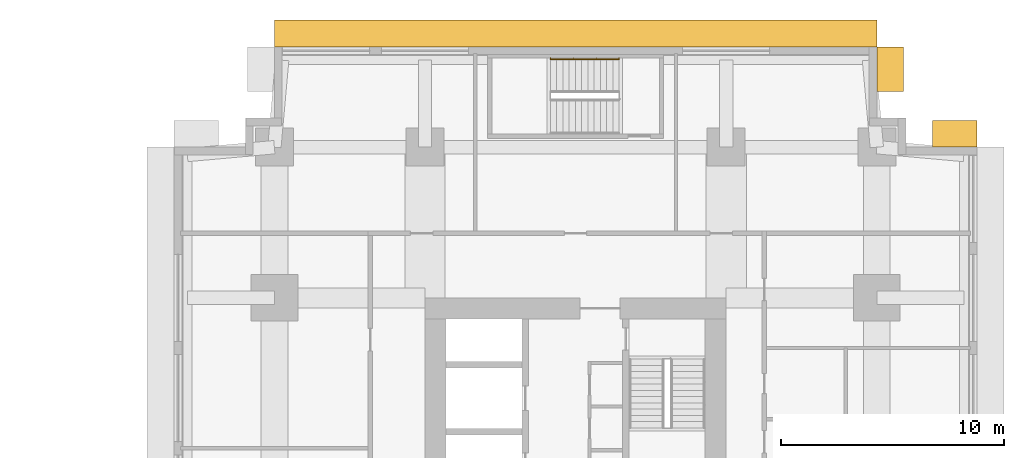
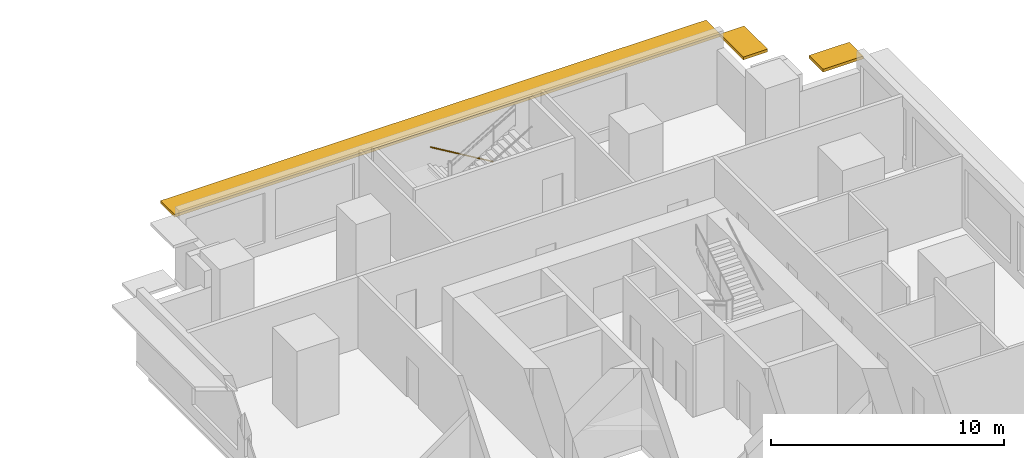
# One storey, part 11 of 11: 3 shading devices, 1 railing.
"""IFC4 building model written with IfcOpenShell, lengths in metres."""

from ifc_helpers import new_model, si_unit, direction, frame, origin, origin_2d, place, context, subcontext, project, spatial, rectangle, circle, extrude, material, layer, layer_set, type_object, element, save


model = new_model("IFC4")

# Units and contexts
model_context = context("Model", 3, precision=1e-05, world=origin(), true_north=direction((0.0, 1.0)))
body_context = subcontext(model_context, "Body", "Model", "MODEL_VIEW")
ifc_project = project(units=[si_unit("LENGTHUNIT", "METRE"), si_unit("AREAUNIT", "SQUARE_METRE"), si_unit("VOLUMEUNIT", "CUBIC_METRE"), si_unit("PLANEANGLEUNIT", "RADIAN"), si_unit("MASSUNIT", "GRAM", prefix="KILO")], contexts=[model_context])

# Site, building, storey
site_placement = place(None, origin())
site = spatial("IfcSite", under=ifc_project, at=site_placement, CompositionType="ELEMENT")
building_placement = place(site_placement, origin())
building = spatial("IfcBuilding", under=site, at=building_placement, Name="Namib Vertical Campus", CompositionType="ELEMENT")
storey_placement = place(building_placement, frame((0.0, 0.0, 49.0)))
storey = spatial("IfcBuildingStorey", under=building, at=storey_placement, Name="L11", CompositionType="ELEMENT", Elevation=49.0)

# Railing
ifc_material_1 = material(Name="Steel handrail", Category="steel")
railing_type = type_object("IfcRailingType", Name="Handrail 900", PredefinedType="HANDRAIL", material=ifc_material_1)
railing_placement = place(storey_placement, frame((82.949951171875, 39.949951171875, 0.166748046875)))
element("IfcRailing", 1, at=railing_placement, inside=storey, type_object=railing_type, Name="Handrail HR1 B-S3 L11 1", PredefinedType="HANDRAIL", context=body_context, shape_type="SweptSolid", body=[
    extrude(circle(Radius=0.02392578125, at=origin_2d()), frame((0.0, 0.0, 0.8759765625), z_axis=(-0.859290745958, 0.0, 0.51148745235), x_axis=(0.0, -1.0, 0.0)), (0.0, 0.0, 1.0), 3.584228515625),
    extrude(circle(Radius=0.008056640625, at=origin_2d()), frame((0.0, 0.0, 0.8759765625), z_axis=(0.0, 1.0, 0.0), x_axis=(0.0, 0.0, 1.0)), (0.0, 0.0, 1.0), 0.050048828125),
    extrude(circle(Radius=0.008056640625, at=origin_2d()), frame((-1.026611328125, 0.0, 1.48681640625), z_axis=(0.0, 1.0, 0.0), x_axis=(0.0, 0.0, 1.0)), (0.0, 0.0, 1.0), 0.050048828125),
    extrude(circle(Radius=0.008056640625, at=origin_2d()), frame((-2.05322265625, 0.0, 2.09814453125), z_axis=(0.0, 1.0, 0.0), x_axis=(0.0, 0.0, 1.0)), (0.0, 0.0, 1.0), 0.050048828125),
    extrude(circle(Radius=0.008056640625, at=origin_2d()), frame((-3.079833984375, 0.0, 2.708984375), z_axis=(0.0, 1.0, 0.0), x_axis=(0.0, 0.0, 1.0)), (0.0, 0.0, 1.0), 0.050048828125),
])

# Shading devices
ifc_material_2 = material(Name="Concrete C40/50 precast", Category="concrete")
ifc_layer = layer(ifc_material_2, 0.14990234375)
ifc_layer_set = layer_set([ifc_layer], Name="Concrete C40/50 precast")
shading_device_type = type_object("IfcShadingDeviceType", Name="Sunshade hood 1200", PredefinedType="SHUTTER", material=ifc_layer_set)
for number, where, z_axis, x_axis, name in (
    (2, (98.0, 36.60009765625, 3.199951171875), (0.0, 0.0, 1.0), (-1.0, 0.0, 0.0), "Sunshade SH2 L11 7"),
    (3, (95.10009765625, 39.5, 3.199951171875), (0.0, 0.0, 1.0), (0.0, 1.0, 0.0), "Sunshade SH2 L11 10"),
):
    element("IfcShadingDevice", number, at=place(storey_placement, frame(where, z_axis=z_axis, x_axis=x_axis)), inside=storey, type_object=shading_device_type, Name=name, PredefinedType="SHUTTER", context=body_context, shape_type="SweptSolid", body=[
        extrude(rectangle(XDim=2.0, YDim=1.199951171875, at=origin_2d()), origin(), (0.0, 0.0, 1.0), 0.14990234375),
    ])
shading_device_placement = place(storey_placement, frame((81.0, 41.10009765625, 3.199951171875), z_axis=(0.0, 0.0, 1.0), x_axis=(-1.0, 0.0, 0.0)))
element("IfcShadingDevice", 4, at=shading_device_placement, inside=storey, type_object=shading_device_type, Name="Sunshade SH2 L11 11", PredefinedType="SHUTTER", context=body_context, shape_type="SweptSolid", body=[
    extrude(rectangle(XDim=27.0, YDim=1.199951171875, at=origin_2d()), origin(), (0.0, 0.0, 1.0), 0.14990234375),
])

save(model, "model.ifc")
